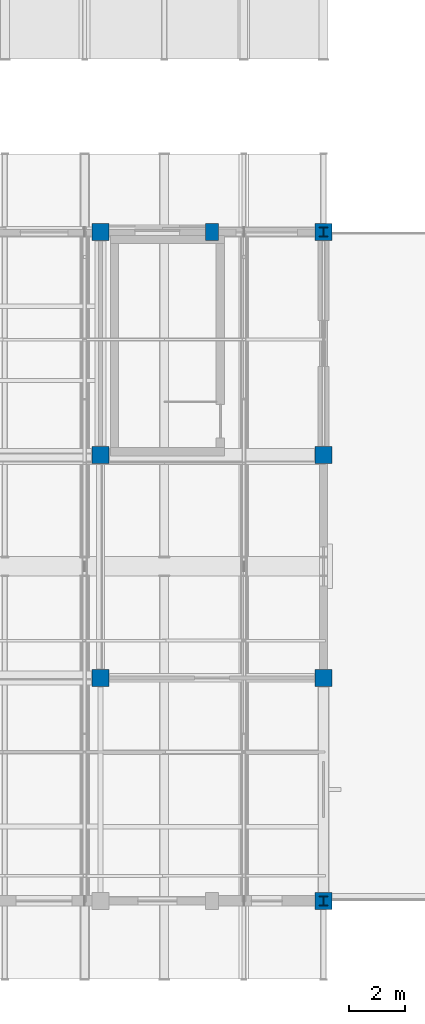
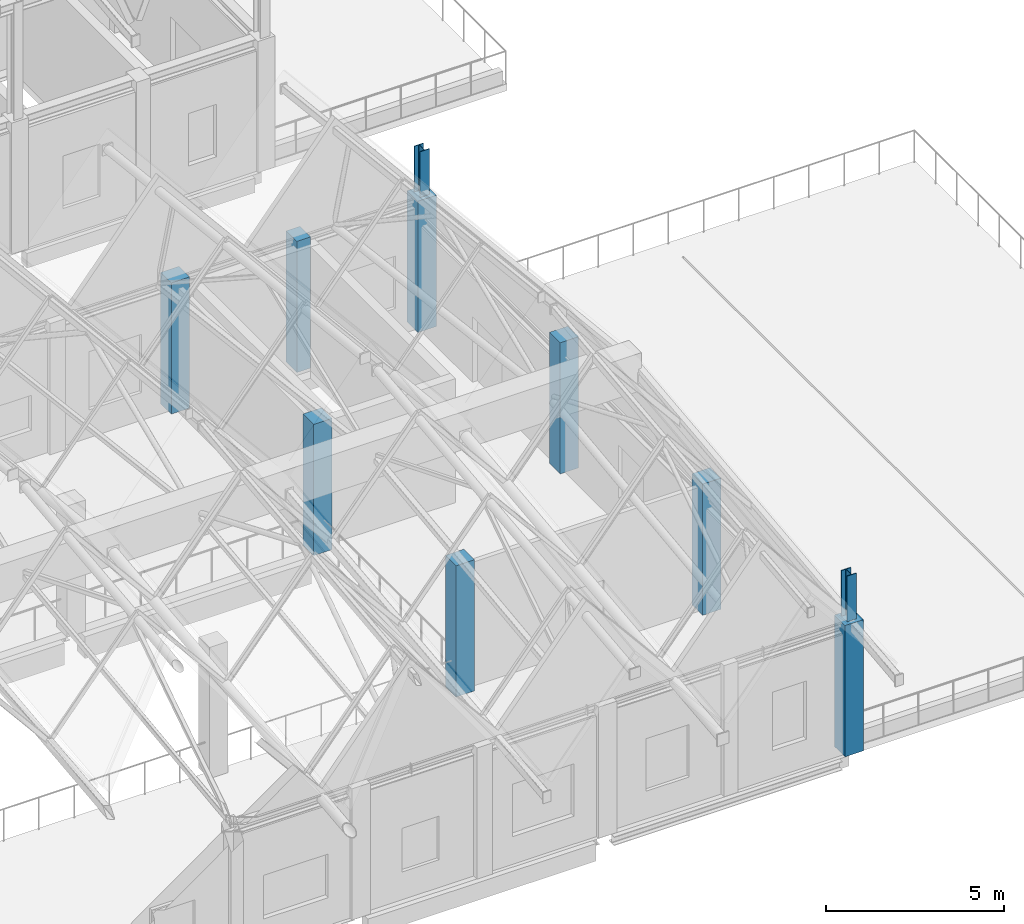
# One storey, part 2 of 77: 10 columns.
"""IFC4 building model written with IfcOpenShell, lengths in metres."""

from ifc_helpers import new_model, si_unit, direction, frame, origin, origin_2d, place, context, subcontext, project, spatial, rectangle, i_section, extrude, material, material_profile, profile_set, type_object, element, save


model = new_model("IFC4")

# Units and contexts
model_context = context("Model", 3, precision=1e-05, world=origin(), true_north=direction((0.0, 1.0)))
body_context = subcontext(model_context, "Body", "Model", "MODEL_VIEW")
ifc_project = project(units=[si_unit("LENGTHUNIT", "METRE"), si_unit("AREAUNIT", "SQUARE_METRE"), si_unit("VOLUMEUNIT", "CUBIC_METRE"), si_unit("PLANEANGLEUNIT", "RADIAN"), si_unit("MASSUNIT", "GRAM", prefix="KILO")], contexts=[model_context])

# Site, building, storey
site_placement = place(None, origin())
site = spatial("IfcSite", under=ifc_project, at=site_placement, CompositionType="ELEMENT")
building_placement = place(site_placement, origin())
building = spatial("IfcBuilding", under=site, at=building_placement, Name="Luwemba Playhouse", CompositionType="ELEMENT")
storey_placement = place(building_placement, frame((0.0, 0.0, 9.300048828125)))
storey = spatial("IfcBuildingStorey", under=building, at=storey_placement, Name="L02", CompositionType="ELEMENT", Elevation=9.300048828125)

# Columns
ifc_material_1 = material(Name="Concrete C40/50", Category="concrete")
ifc_material_profile_1 = material_profile(ifc_material_1, rectangle(XDim=0.60009765625, YDim=0.60009765625, at=origin_2d()))
ifc_profile_set_1 = profile_set([ifc_material_profile_1], Name="Concrete C40/50")
column_type_1 = type_object("IfcColumnType", Name="COL-C04", PredefinedType="COLUMN", material=ifc_profile_set_1)
for number, where, z_axis, x_axis, name in (
    (1, (36.0, 11.0, 0.0), (0.0, 0.0, 1.0), (1.0, 0.0, 0.0), "L02 column 076"),
    (2, (36.0, 19.0, 0.0), (0.0, 0.0, 1.0), (1.0, 0.0, 0.0), "L02 column 077"),
    (3, (36.0, 27.0, 0.0), (0.0, 0.0, 1.0), (1.0, 0.0, 0.0), "L02 column 078"),
    (4, (44.0, 3.0, 0.0), (0.0, 0.0, 1.0), (1.0, 0.0, 0.0), "L02 column 092"),
    (5, (44.0, 11.0, 0.0), (0.0, 0.0, 1.0), (1.0, 0.0, 0.0), "L02 column 093"),
    (6, (44.0, 19.0, 0.0), (0.0, 0.0, 1.0), (1.0, 0.0, 0.0), "L02 column 094"),
    (7, (44.0, 27.0, 0.0), (0.0, 0.0, 1.0), (1.0, 0.0, 0.0), "L02 column 095"),
):
    element("IfcColumn", number, at=place(storey_placement, frame(where, z_axis=z_axis, x_axis=x_axis)), inside=storey, type_object=column_type_1, Name=name, PredefinedType="COLUMN", context=body_context, shape_type="SweptSolid", body=[
        extrude(rectangle(XDim=0.60009765625, YDim=0.60009765625, at=origin_2d()), origin(), (0.0, 0.0, 1.0), 4.5),
    ])
ifc_material_profile_2 = material_profile(ifc_material_1, rectangle(XDim=0.449951171875, YDim=0.60009765625, at=origin_2d()))
ifc_profile_set_2 = profile_set([ifc_material_profile_2], Name="Concrete C40/50")
column_type_2 = type_object("IfcColumnType", Name="COL-PIL2", PredefinedType="PILASTER", material=ifc_profile_set_2)
column_placement = place(storey_placement, frame((40.0, 27.0, 0.0), z_axis=(0.0, 0.0, 1.0), x_axis=(1.0, 0.0, 0.0)))
element("IfcColumn", 8, at=column_placement, inside=storey, type_object=column_type_2, Name="L02 column 088", PredefinedType="PILASTER", context=body_context, shape_type="SweptSolid", body=[
    extrude(rectangle(XDim=0.449951171875, YDim=0.60009765625, at=origin_2d()), origin(), (0.0, 0.0, 1.0), 4.5),
])
ifc_material_2 = material(Name="Steel S355", Category="steel")
ifc_material_profile_3 = material_profile(ifc_material_2, i_section(OverallWidth=0.300048828125, OverallDepth=0.340087890625, WebThickness=0.011962890625, FlangeThickness=0.021484375, FilletRadius=0.027099609375, at=origin_2d()))
ifc_profile_set_3 = profile_set([ifc_material_profile_3], Name="Steel S355")
column_type_3 = type_object("IfcColumnType", Name="COL-SC2", PredefinedType="COLUMN", material=ifc_profile_set_3)
for number, where, z_axis, x_axis, name in (
    (9, (44.0, 3.0, 4.5), (0.0, 0.0, 1.0), (1.0, 0.0, 0.0), "RF-V5W south corner apex stub"),
    (10, (44.0, 27.0, 4.5), (0.0, 0.0, 1.0), (1.0, 0.0, 0.0), "RF-V5W north corner apex stub"),
):
    element("IfcColumn", number, at=place(storey_placement, frame(where, z_axis=z_axis, x_axis=x_axis)), inside=storey, type_object=column_type_3, Name=name, PredefinedType="COLUMN", context=body_context, shape_type="SweptSolid", body=[
        extrude(i_section(OverallWidth=0.300048828125, OverallDepth=0.340087890625, WebThickness=0.011962890625, FlangeThickness=0.021484375, FilletRadius=0.027099609375, at=origin_2d()), origin(), (0.0, 0.0, 1.0), 1.56591796875),
    ])

save(model, "model.ifc")
